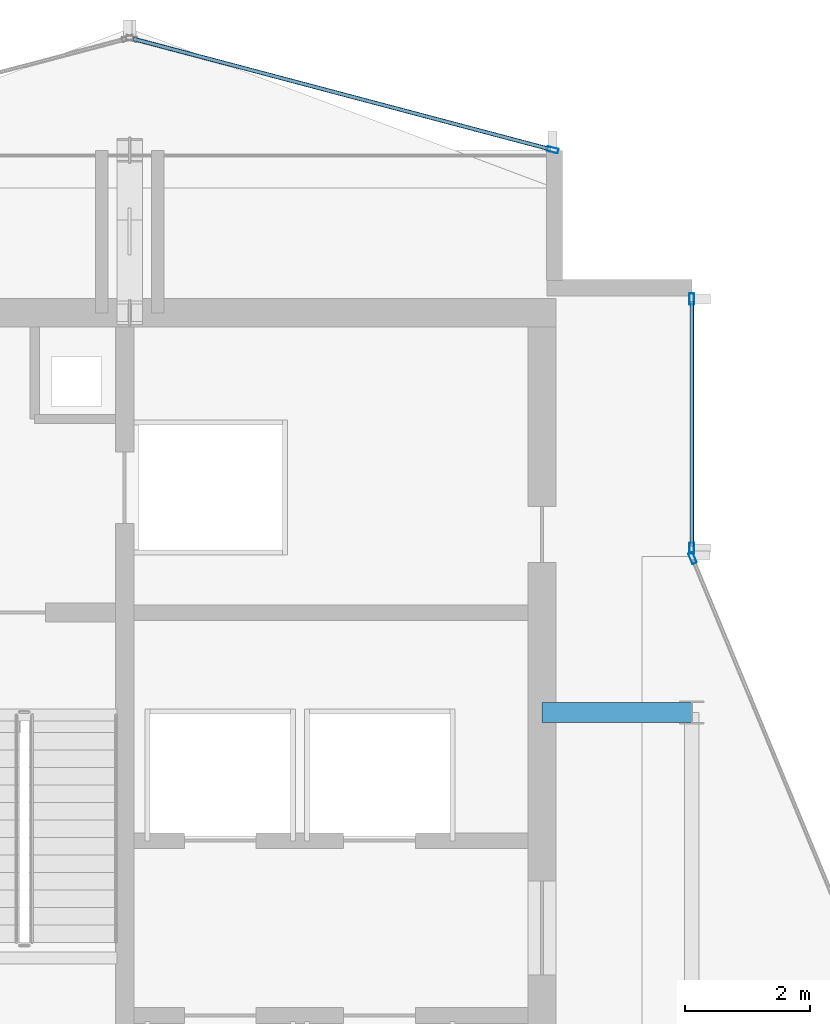
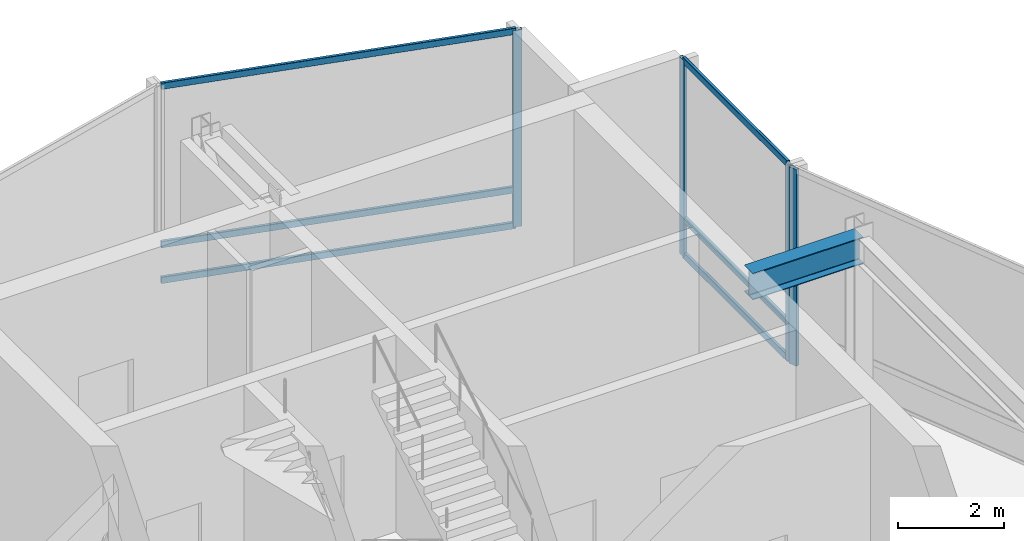
# One storey, part 14 of 23: 10 members, 1 beam, 3 elements without a shape of their own.
"""IFC4 building model written with IfcOpenShell, lengths in metres."""

from ifc_helpers import new_model, si_unit, direction, frame, origin, origin_2d, place, context, subcontext, project, spatial, hollow_rectangle, i_section, extrude, material, layer, layer_set, material_profile, profile_set, type_object, element, aggregate, save


model = new_model("IFC4")

# Units and contexts
model_context = context("Model", 3, precision=1e-05, world=origin(), true_north=direction((0.0, 1.0)))
body_context = subcontext(model_context, "Body", "Model", "MODEL_VIEW")
ifc_project = project(units=[si_unit("LENGTHUNIT", "METRE"), si_unit("AREAUNIT", "SQUARE_METRE"), si_unit("VOLUMEUNIT", "CUBIC_METRE"), si_unit("PLANEANGLEUNIT", "RADIAN"), si_unit("MASSUNIT", "GRAM", prefix="KILO")], contexts=[model_context])

# Site, building, storey
site_placement = place(None, origin())
site = spatial("IfcSite", under=ifc_project, at=site_placement, CompositionType="ELEMENT")
building_placement = place(site_placement, origin())
building = spatial("IfcBuilding", under=site, at=building_placement, Name="Solvaryn Broadcast Tower", CompositionType="ELEMENT")
storey_placement = place(building_placement, frame((0.0, 0.0, 285.199951171875)))
storey = spatial("IfcBuildingStorey", under=building, at=storey_placement, Name="L72", CompositionType="ELEMENT", Elevation=285.199951171875)

# Beam
ifc_material_1 = material(Name="Steel ASTM A992 Grade 50", Category="steel")
ifc_material_profile_1 = material_profile(ifc_material_1, i_section(OverallWidth=0.323974609375, OverallDepth=0.611083984375, WebThickness=0.0126953125, FlangeThickness=0.01904296875, FilletRadius=0.014892578125, at=origin_2d()))
ifc_profile_set_1 = profile_set([ifc_material_profile_1], Name="Steel ASTM A992 Grade 50")
beam_type = type_object("IfcBeamType", Name="BM-B1-W24X104", PredefinedType="BEAM", material=ifc_profile_set_1)
beam_placement = place(storey_placement, frame((24.60009765625, 36.0, 4.214599609375), z_axis=(1.0, 0.0, 0.0), x_axis=(0.0, 1.0, 0.0)))
element("IfcBeam", 1, at=beam_placement, inside=storey, type_object=beam_type, Name="L72 Core Tie Beam CTW2", PredefinedType="BEAM", context=body_context, shape_type="SweptSolid", body=[
    extrude(i_section(OverallWidth=0.323974609375, OverallDepth=0.611083984375, WebThickness=0.0126953125, FlangeThickness=0.01904296875, FilletRadius=0.014892578125, at=origin_2d()), origin(), (0.0, 0.0, 1.0), 2.39990234375),
])

# Curtain wall, members
ifc_material_2 = material(Name="Aluminium and Terracotta Unitised Curtain Wall", Category="masonry")
ifc_layer = layer(ifc_material_2, 0.199951171875)
ifc_layer_set = layer_set([ifc_layer], Name="CW-SYS2-LOWMID")
curtain_wall_type = type_object("IfcCurtainWallType", Name="CW-SYS2-LOWMID", PredefinedType="NOTDEFINED", material=ifc_layer_set)
curtain_wall_1_placement = place(storey_placement, origin())
curtain_wall_1 = element("IfcCurtainWall", 2, at=curtain_wall_1_placement, inside=storey, type_object=curtain_wall_type, Name="L72 Curtain Wall IV", PredefinedType="NOTDEFINED")
ifc_material_3 = material(Name="Anodised Aluminium 6063-T6", Category="aluminium")
ifc_material_profile_2 = material_profile(ifc_material_3, hollow_rectangle(XDim=0.074951171875, YDim=0.179931640625, WallThickness=0.00390625, InnerFilletRadius=0.00390625, OuterFilletRadius=0.008056640625, at=origin_2d()))
ifc_profile_set_2 = profile_set([ifc_material_profile_2], Name="Anodised Aluminium 6063-T6")
member_type_1 = type_object("IfcMemberType", Name="CW-MUL-180", PredefinedType="MULLION", material=ifc_profile_set_2)
member_1_placement = place(storey_placement, frame((27.0, 42.6201171875, 0.0), z_axis=(0.0, 0.0, 1.0), x_axis=(1.0, 0.0, 0.0)))
member_1 = element("IfcMember", 3, at=member_1_placement, type_object=member_type_1, Name="CWS2 mullion 1", PredefinedType="MULLION", context=body_context, shape_type="SweptSolid", body=[
    extrude(hollow_rectangle(XDim=0.074951171875, YDim=0.179931640625, WallThickness=0.00390625, InnerFilletRadius=0.00390625, OuterFilletRadius=0.008056640625, at=origin_2d()), origin(), (0.0, 0.0, 1.0), 4.52001953125),
])
member_2_placement = place(storey_placement, frame((27.0, 38.6298828125, 0.0), z_axis=(0.0, 0.0, 1.0), x_axis=(1.0, 0.0, 0.0)))
member_2 = element("IfcMember", 4, at=member_2_placement, type_object=member_type_1, Name="CWS2 mullion 2", PredefinedType="MULLION", context=body_context, shape_type="SweptSolid", body=[
    extrude(hollow_rectangle(XDim=0.074951171875, YDim=0.179931640625, WallThickness=0.00390625, InnerFilletRadius=0.00390625, OuterFilletRadius=0.008056640625, at=origin_2d()), origin(), (0.0, 0.0, 1.0), 4.52001953125),
])

# Curtain wall, member
curtain_wall_2_placement = place(storey_placement, origin())
curtain_wall_2 = element("IfcCurtainWall", 5, at=curtain_wall_2_placement, inside=storey, type_object=curtain_wall_type, Name="L72 Curtain Wall CN2", PredefinedType="NOTDEFINED")
member_3_placement = place(storey_placement, frame((27.011474609375, 38.47216796875, 0.0), z_axis=(0.0, 0.0, 1.0), x_axis=(-0.923894983957, -0.382646127145, 0.0)))
member_3 = element("IfcMember", 6, at=member_3_placement, type_object=member_type_1, Name="CWS2 mullion 2", PredefinedType="MULLION", context=body_context, shape_type="SweptSolid", body=[
    extrude(hollow_rectangle(XDim=0.074951171875, YDim=0.179931640625, WallThickness=0.00390625, InnerFilletRadius=0.00390625, OuterFilletRadius=0.008056640625, at=origin_2d()), origin(), (0.0, 0.0, 1.0), 4.52001953125),
])
aggregate(curtain_wall_2, [member_3])

curtain_wall_3_placement = place(storey_placement, origin())
curtain_wall_3 = element("IfcCurtainWall", 7, at=curtain_wall_3_placement, inside=storey, type_object=curtain_wall_type, Name="L72 Curtain Wall NT1", PredefinedType="NOTDEFINED")
member_4_placement = place(storey_placement, frame((24.77099609375, 45.007568359375, 0.0), z_axis=(0.0, 0.0, 1.0), x_axis=(-0.25589256031, -0.966705227863, 0.0)))
member_4 = element("IfcMember", 8, at=member_4_placement, type_object=member_type_1, Name="CWS2 mullion 1", PredefinedType="MULLION", context=body_context, shape_type="SweptSolid", body=[
    extrude(hollow_rectangle(XDim=0.074951171875, YDim=0.179931640625, WallThickness=0.00390625, InnerFilletRadius=0.00390625, OuterFilletRadius=0.008056640625, at=origin_2d()), origin(), (0.0, 0.0, 1.0), 4.52001953125),
])

# Member
ifc_material_4 = material(Name="Anodised Aluminium 6063-T6", Category="aluminium")
ifc_material_profile_3 = material_profile(ifc_material_4, hollow_rectangle(XDim=0.06494140625, YDim=0.14990234375, WallThickness=0.00390625, InnerFilletRadius=0.00390625, OuterFilletRadius=0.008056640625, at=origin_2d()))
ifc_profile_set_3 = profile_set([ifc_material_profile_3], Name="Anodised Aluminium 6063-T6")
member_type_2 = type_object("IfcMemberType", Name="CW-TRN-150", PredefinedType="USERDEFINED", material=ifc_profile_set_3)
member_5_placement = place(storey_placement, frame((27.0, 42.590087890625, 0.030029296875), z_axis=(0.0, -1.0, 0.0), x_axis=(1.0, 0.0, 0.0)))
member_5 = element("IfcMember", 9, at=member_5_placement, type_object=member_type_2, Name="CWS2 transom 1.1", ObjectType="TRANSOM", PredefinedType="USERDEFINED", context=body_context, shape_type="SweptSolid", body=[
    extrude(hollow_rectangle(XDim=0.06494140625, YDim=0.14990234375, WallThickness=0.00390625, InnerFilletRadius=0.00390625, OuterFilletRadius=0.008056640625, at=origin_2d()), origin(), (0.0, 0.0, 1.0), 3.93017578125),
])

member_6_placement = place(storey_placement, frame((27.0, 42.590087890625, 0.85009765625), z_axis=(0.0, -1.0, 0.0), x_axis=(1.0, 0.0, 0.0)))
member_6 = element("IfcMember", 10, at=member_6_placement, type_object=member_type_2, Name="CWS2 transom 1.2", ObjectType="TRANSOM", PredefinedType="USERDEFINED", context=body_context, shape_type="SweptSolid", body=[
    extrude(hollow_rectangle(XDim=0.06494140625, YDim=0.14990234375, WallThickness=0.00390625, InnerFilletRadius=0.00390625, OuterFilletRadius=0.008056640625, at=origin_2d()), origin(), (0.0, 0.0, 1.0), 3.93017578125),
])

member_7_placement = place(storey_placement, frame((27.0, 42.590087890625, 4.489990234375), z_axis=(0.0, -1.0, 0.0), x_axis=(1.0, 0.0, 0.0)))
member_7 = element("IfcMember", 11, at=member_7_placement, type_object=member_type_2, Name="CWS2 transom 1.3", ObjectType="TRANSOM", PredefinedType="USERDEFINED", context=body_context, shape_type="SweptSolid", body=[
    extrude(hollow_rectangle(XDim=0.06494140625, YDim=0.14990234375, WallThickness=0.00390625, InnerFilletRadius=0.00390625, OuterFilletRadius=0.008056640625, at=origin_2d()), origin(), (0.0, 0.0, 1.0), 3.93017578125),
])

aggregate(curtain_wall_1, [member_1, member_2, member_5, member_6, member_7])

member_8_placement = place(storey_placement, frame((24.741943359375, 45.015380859375, 0.030029296875), z_axis=(-0.966703943301, 0.255897413051, 0.0), x_axis=(-0.255897413051, -0.966703943301, 0.0)))
member_8 = element("IfcMember", 12, at=member_8_placement, type_object=member_type_2, Name="CWS2 transom 1.1", ObjectType="TRANSOM", PredefinedType="USERDEFINED", context=body_context, shape_type="SweptSolid", body=[
    extrude(hollow_rectangle(XDim=0.06494140625, YDim=0.14990234375, WallThickness=0.00390625, InnerFilletRadius=0.00390625, OuterFilletRadius=0.008056640625, at=origin_2d()), origin(), (0.0, 0.0, 1.0), 6.9140625),
])

member_9_placement = place(storey_placement, frame((24.741943359375, 45.015380859375, 0.85009765625), z_axis=(-0.966703943301, 0.255897413051, 0.0), x_axis=(-0.255897413051, -0.966703943301, 0.0)))
member_9 = element("IfcMember", 13, at=member_9_placement, type_object=member_type_2, Name="CWS2 transom 1.2", ObjectType="TRANSOM", PredefinedType="USERDEFINED", context=body_context, shape_type="SweptSolid", body=[
    extrude(hollow_rectangle(XDim=0.06494140625, YDim=0.14990234375, WallThickness=0.00390625, InnerFilletRadius=0.00390625, OuterFilletRadius=0.008056640625, at=origin_2d()), origin(), (0.0, 0.0, 1.0), 6.9140625),
])

member_10_placement = place(storey_placement, frame((24.741943359375, 45.015380859375, 4.489990234375), z_axis=(-0.966703943301, 0.255897413051, 0.0), x_axis=(-0.255897413051, -0.966703943301, 0.0)))
member_10 = element("IfcMember", 14, at=member_10_placement, type_object=member_type_2, Name="CWS2 transom 1.3", ObjectType="TRANSOM", PredefinedType="USERDEFINED", context=body_context, shape_type="SweptSolid", body=[
    extrude(hollow_rectangle(XDim=0.06494140625, YDim=0.14990234375, WallThickness=0.00390625, InnerFilletRadius=0.00390625, OuterFilletRadius=0.008056640625, at=origin_2d()), origin(), (0.0, 0.0, 1.0), 6.9140625),
])

aggregate(curtain_wall_3, [member_4, member_8, member_9, member_10])

save(model, "model.ifc")
